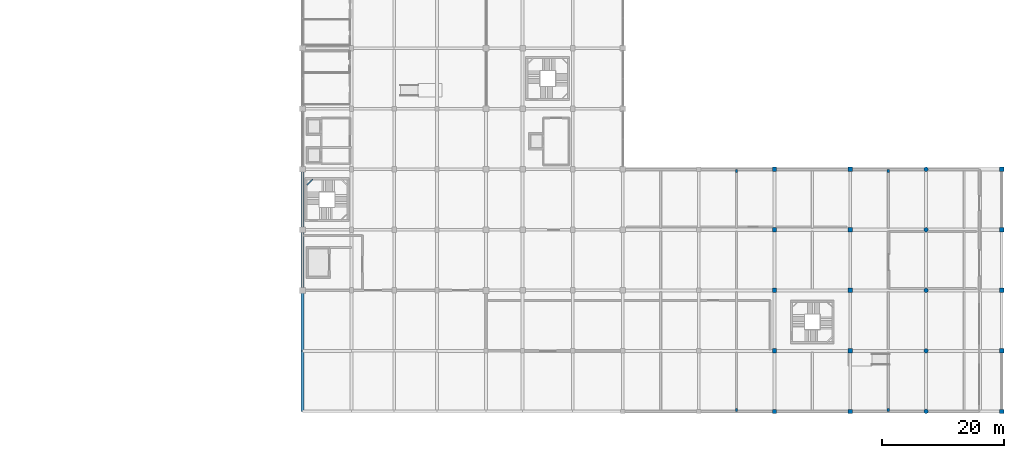
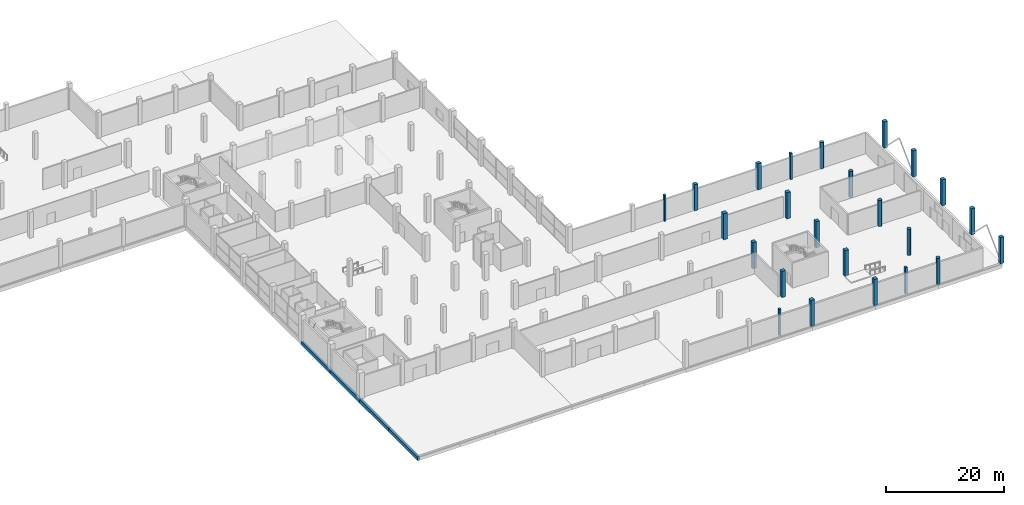
# One storey, part 3 of 50: 24 columns, 5 beams.
"""IFC4 building model written with IfcOpenShell, lengths in metres."""

from ifc_helpers import new_model, si_unit, direction, frame, origin, origin_2d, place, context, subcontext, project, spatial, rectangle, hollow_rectangle, circle, extrude, material, material_profile, profile_set, type_object, element, save


model = new_model("IFC4")

# Units and contexts
model_context = context("Model", 3, precision=1e-05, world=origin(), true_north=direction((0.0, 1.0)))
body_context = subcontext(model_context, "Body", "Model", "MODEL_VIEW")
ifc_project = project(units=[si_unit("LENGTHUNIT", "METRE"), si_unit("AREAUNIT", "SQUARE_METRE"), si_unit("VOLUMEUNIT", "CUBIC_METRE"), si_unit("PLANEANGLEUNIT", "RADIAN"), si_unit("MASSUNIT", "GRAM", prefix="KILO")], contexts=[model_context])

# Site, building, storey
site_placement = place(None, origin())
site = spatial("IfcSite", under=ifc_project, at=site_placement, CompositionType="ELEMENT")
building_placement = place(site_placement, origin())
building = spatial("IfcBuilding", under=site, at=building_placement, Name="Sillaruma Civic Art Gallery", CompositionType="ELEMENT")
storey_placement = place(building_placement, origin())
storey = spatial("IfcBuildingStorey", under=building, at=storey_placement, Name="L00", CompositionType="ELEMENT", Elevation=0.0)

# Columns
ifc_material_1 = material(Name="Concrete H40 (40 MPa)", Category="concrete")
ifc_material_profile_1 = material_profile(ifc_material_1, rectangle(XDim=0.699951171875, YDim=0.699951171875, at=origin_2d()), Name="RC700x700")
ifc_profile_set_1 = profile_set([ifc_material_profile_1], Name="Concrete H40 (40 MPa)")
column_type_1 = type_object("IfcColumnType", Name="COL-COLUMN-RC700x700", PredefinedType="COLUMN", material=ifc_profile_set_1)
for number, where, z_axis, x_axis, name in (
    (1, (139.199951171875, 0.0, 0.0), (0.0, 0.0, 1.0), (1.0, 0.0, 0.0), "Column C-06 (L00:Q1)"),
    (2, (139.199951171875, 9.89990234375, 0.0), (0.0, 0.0, 1.0), (1.0, 0.0, 0.0), "Column C-06 (L00:Q2)"),
    (3, (139.199951171875, 19.800048828125, 0.0), (0.0, 0.0, 1.0), (1.0, 0.0, 0.0), "Column C-06 (L00:Q3)"),
    (4, (139.199951171875, 29.699951171875, 0.0), (0.0, 0.0, 1.0), (1.0, 0.0, 0.0), "Column C-06 (L00:Q4)"),
    (5, (139.199951171875, 39.60009765625, 0.0), (0.0, 0.0, 1.0), (1.0, 0.0, 0.0), "Column C-06 (L00:Q5)"),
    (6, (151.60009765625, 0.0, 0.0), (0.0, 0.0, 1.0), (1.0, 0.0, 0.0), "Column C-06 (L00:R1)"),
    (7, (151.60009765625, 9.89990234375, 0.0), (0.0, 0.0, 1.0), (1.0, 0.0, 0.0), "Column C-06 (L00:R2)"),
    (8, (151.60009765625, 19.800048828125, 0.0), (0.0, 0.0, 1.0), (1.0, 0.0, 0.0), "Column C-06 (L00:R3)"),
    (9, (151.60009765625, 29.699951171875, 0.0), (0.0, 0.0, 1.0), (1.0, 0.0, 0.0), "Column C-06 (L00:R4)"),
    (10, (151.60009765625, 39.60009765625, 0.0), (0.0, 0.0, 1.0), (1.0, 0.0, 0.0), "Column C-06 (L00:R5)"),
    (11, (176.39990234375, 0.0, 0.0), (0.0, 0.0, 1.0), (1.0, 0.0, 0.0), "Column C-06 (L00:T1)"),
    (12, (176.39990234375, 9.89990234375, 0.0), (0.0, 0.0, 1.0), (1.0, 0.0, 0.0), "Column C-06 (L00:T2)"),
    (13, (176.39990234375, 19.800048828125, 0.0), (0.0, 0.0, 1.0), (1.0, 0.0, 0.0), "Column C-06 (L00:T3)"),
    (14, (176.39990234375, 29.699951171875, 0.0), (0.0, 0.0, 1.0), (1.0, 0.0, 0.0), "Column C-06 (L00:T4)"),
    (15, (176.39990234375, 39.60009765625, 0.0), (0.0, 0.0, 1.0), (1.0, 0.0, 0.0), "Column C-06 (L00:T5)"),
):
    element("IfcColumn", number, at=place(storey_placement, frame(where, z_axis=z_axis, x_axis=x_axis)), inside=storey, type_object=column_type_1, Name=name, PredefinedType="COLUMN", context=body_context, shape_type="SweptSolid", body=[
        extrude(rectangle(XDim=0.699951171875, YDim=0.699951171875, at=origin_2d()), origin(), (0.0, 0.0, 1.0), 5.43994140625),
    ])
ifc_material_profile_2 = material_profile(ifc_material_1, circle(Radius=0.360107421875, at=origin_2d()), Name="RCC720")
ifc_profile_set_2 = profile_set([ifc_material_profile_2], Name="Concrete H40 (40 MPa)")
column_type_2 = type_object("IfcColumnType", Name="COL-COLUMN-RCC720", PredefinedType="COLUMN", material=ifc_profile_set_2)
for number, where, z_axis, x_axis, name in (
    (16, (164.0, 0.0, 0.0), (0.0, 0.0, 1.0), (1.0, 0.0, 0.0), "Column CC-02 (L00:S1)"),
    (17, (164.0, 9.89990234375, 0.0), (0.0, 0.0, 1.0), (1.0, 0.0, 0.0), "Column CC-02 (L00:S2)"),
    (18, (164.0, 19.800048828125, 0.0), (0.0, 0.0, 1.0), (1.0, 0.0, 0.0), "Column CC-02 (L00:S3)"),
    (19, (164.0, 29.699951171875, 0.0), (0.0, 0.0, 1.0), (1.0, 0.0, 0.0), "Column CC-02 (L00:S4)"),
    (20, (164.0, 39.60009765625, 0.0), (0.0, 0.0, 1.0), (1.0, 0.0, 0.0), "Column CC-02 (L00:S5)"),
):
    element("IfcColumn", number, at=place(storey_placement, frame(where, z_axis=z_axis, x_axis=x_axis)), inside=storey, type_object=column_type_2, Name=name, PredefinedType="COLUMN", context=body_context, shape_type="SweptSolid", body=[
        extrude(circle(Radius=0.360107421875, at=origin_2d()), origin(), (0.0, 0.0, 1.0), 5.43994140625),
    ])
ifc_material_profile_3 = material_profile(ifc_material_1, rectangle(XDim=0.3798828125, YDim=0.5, at=origin_2d()), Name="RC500x380")
ifc_profile_set_3 = profile_set([ifc_material_profile_3], Name="Concrete H40 (40 MPa)")
column_type_3 = type_object("IfcColumnType", Name="COL-PILASTER-RC500x380", PredefinedType="PILASTER", material=ifc_profile_set_3)
for number, where, z_axis, x_axis, name in (
    (21, (133.0, 0.25, 0.0), (0.0, 0.0, 1.0), (1.0, 0.0, 0.0), "Pilaster CP-01 (L00:PIL-E1)"),
    (22, (157.800048828125, 0.25, 0.0), (0.0, 0.0, 1.0), (1.0, 0.0, 0.0), "Pilaster CP-01 (L00:PIL-E2)"),
    (23, (133.0, 39.35009765625, 0.0), (0.0, 0.0, 1.0), (1.0, 0.0, 0.0), "Pilaster CP-01 (L00:PIL-E3)"),
    (24, (157.800048828125, 39.35009765625, 0.0), (0.0, 0.0, 1.0), (1.0, 0.0, 0.0), "Pilaster CP-01 (L00:PIL-E4)"),
):
    element("IfcColumn", number, at=place(storey_placement, frame(where, z_axis=z_axis, x_axis=x_axis)), inside=storey, type_object=column_type_3, Name=name, PredefinedType="PILASTER", context=body_context, shape_type="SweptSolid", body=[
        extrude(rectangle(XDim=0.3798828125, YDim=0.5, at=origin_2d()), origin(), (0.0, 0.0, 1.0), 5.43994140625),
    ])

# Beams
ifc_material_profile_4 = material_profile(ifc_material_1, rectangle(XDim=0.449951171875, YDim=0.75, at=origin_2d()), Name="RCB450x750")
ifc_profile_set_4 = profile_set([ifc_material_profile_4], Name="Concrete H40 (40 MPa)")
beam_type_1 = type_object("IfcBeamType", Name="BM-BEAM-RCB450x750", PredefinedType="BEAM", material=ifc_profile_set_4)
beam_1_placement = place(storey_placement, frame((62.0, 0.0, -0.675048828125), z_axis=(0.0, 1.0, 0.0), x_axis=(-1.0, 0.0, 0.0)))
element("IfcBeam", 25, at=beam_1_placement, inside=storey, type_object=beam_type_1, Name="Beam BM-03 (B01:F:1-2)", PredefinedType="BEAM", context=body_context, shape_type="SweptSolid", body=[
    extrude(rectangle(XDim=0.449951171875, YDim=0.75, at=origin_2d()), origin(), (0.0, 0.0, 1.0), 9.89990234375),
])
beam_2_placement = place(storey_placement, frame((62.0, 9.89990234375, -0.675048828125), z_axis=(0.0, 1.0, 0.0), x_axis=(-1.0, 0.0, 0.0)))
element("IfcBeam", 26, at=beam_2_placement, inside=storey, type_object=beam_type_1, Name="Beam BM-03 (B01:F:2-3)", PredefinedType="BEAM", context=body_context, shape_type="SweptSolid", body=[
    extrude(rectangle(XDim=0.449951171875, YDim=0.75, at=origin_2d()), origin(), (0.0, 0.0, 1.0), 9.900146484375),
])
beam_3_placement = place(storey_placement, frame((62.0, 19.800048828125, -0.675048828125), z_axis=(0.0, 1.0, 0.0), x_axis=(-1.0, 0.0, 0.0)))
element("IfcBeam", 27, at=beam_3_placement, inside=storey, type_object=beam_type_1, Name="Beam BM-03 (B01:F:3-4)", PredefinedType="BEAM", context=body_context, shape_type="SweptSolid", body=[
    extrude(rectangle(XDim=0.449951171875, YDim=0.75, at=origin_2d()), origin(), (0.0, 0.0, 1.0), 9.89990234375),
])
beam_4_placement = place(storey_placement, frame((62.0, 29.699951171875, -0.675048828125), z_axis=(0.0, 1.0, 0.0), x_axis=(-1.0, 0.0, 0.0)))
element("IfcBeam", 28, at=beam_4_placement, inside=storey, type_object=beam_type_1, Name="Beam BM-03 (B01:F:4-5)", PredefinedType="BEAM", context=body_context, shape_type="SweptSolid", body=[
    extrude(rectangle(XDim=0.449951171875, YDim=0.75, at=origin_2d()), origin(), (0.0, 0.0, 1.0), 9.900146484375),
])
ifc_material_2 = material(Name="Structural Steel ASTM A500 Gr.C", Category="steel")
ifc_material_profile_5 = material_profile(ifc_material_2, hollow_rectangle(XDim=0.080078125, YDim=0.159912109375, WallThickness=0.008056640625, InnerFilletRadius=0.008056640625, OuterFilletRadius=0.01611328125, at=origin_2d()), Name="HSS160x80x8")
ifc_profile_set_5 = profile_set([ifc_material_profile_5], Name="Structural Steel ASTM A500 Gr.C")
beam_type_2 = type_object("IfcBeamType", Name="BM-LND-HSS160", PredefinedType="BEAM", material=ifc_profile_set_5)
beam_5_placement = place(storey_placement, frame((62.719970703125, 37.0400390625, 3.800048828125), z_axis=(0.707203758046, 0.707009791025, 0.0), x_axis=(-0.707009791025, 0.707203758046, 0.0)))
element("IfcBeam", 29, at=beam_5_placement, inside=storey, type_object=beam_type_2, Name="Stair Corner Landing Trimmer Beam (ST-03-L00-3)", PredefinedType="BEAM", context=body_context, shape_type="SweptSolid", body=[
    extrude(hollow_rectangle(XDim=0.080078125, YDim=0.159912109375, WallThickness=0.008056640625, InnerFilletRadius=0.008056640625, OuterFilletRadius=0.01611328125, at=origin_2d()), origin(), (0.0, 0.0, 1.0), 1.2587890625),
])

save(model, "model.ifc")
